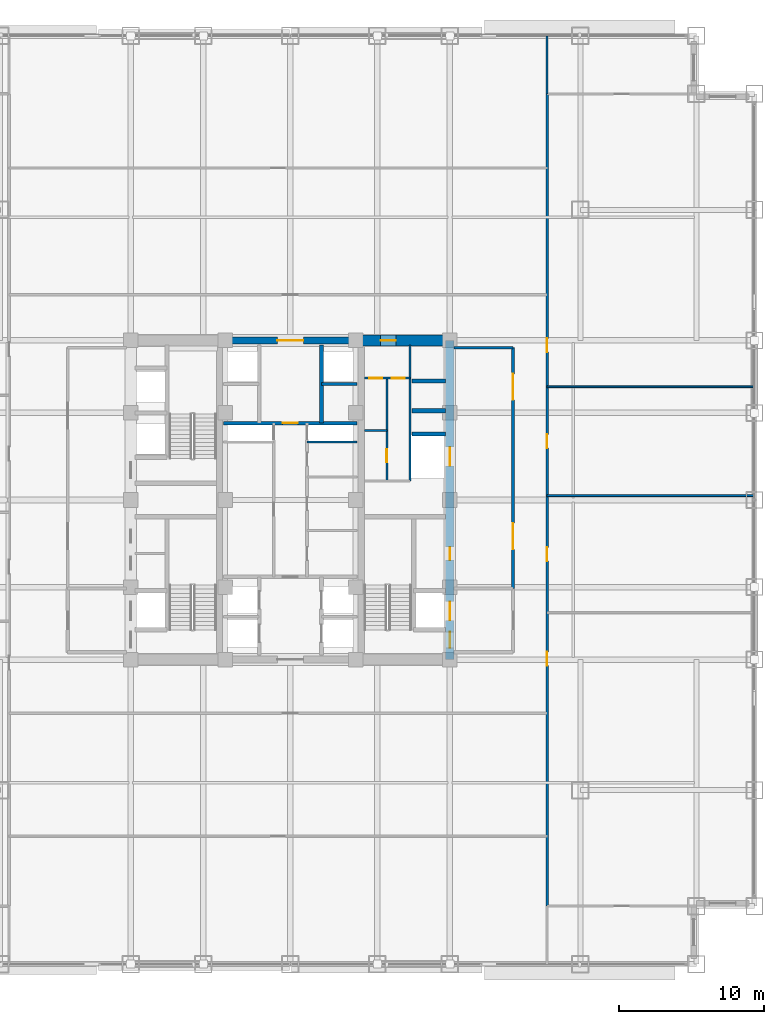
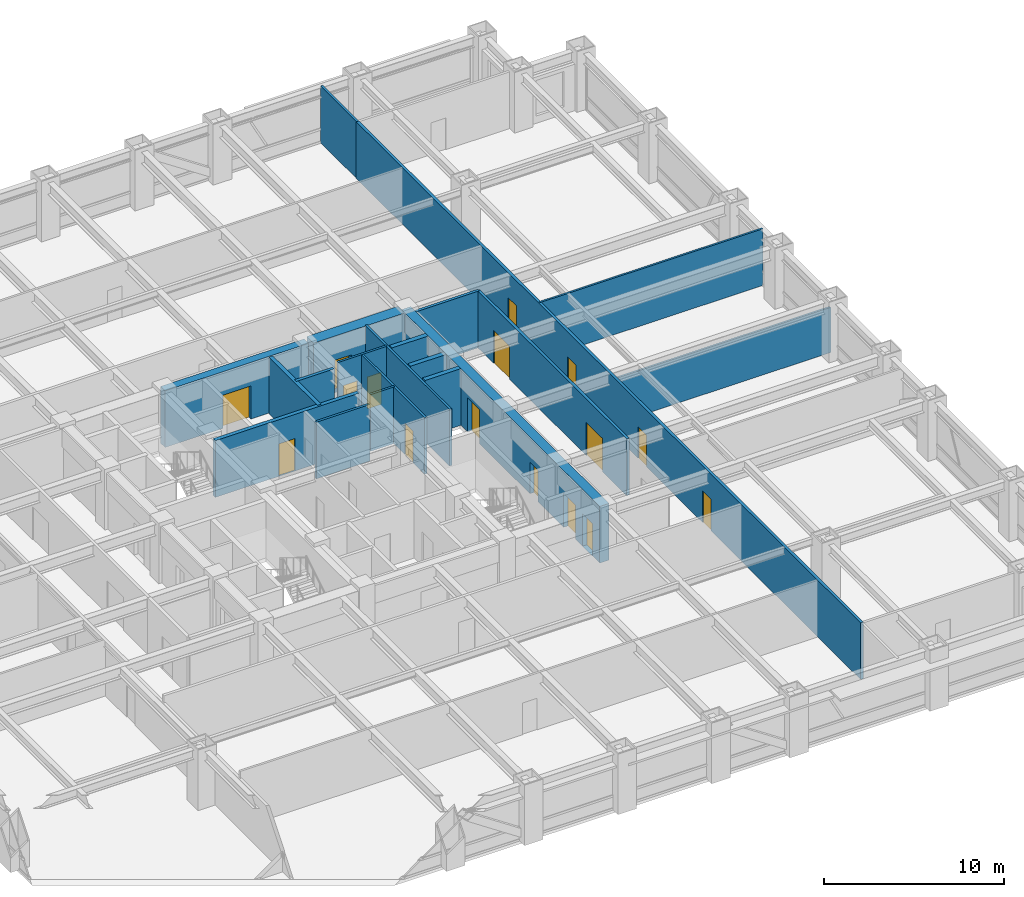
# One storey, part 26 of 32: 20 walls, 16 doors, 16 openings.
"""IFC4 building model written with IfcOpenShell, lengths in metres."""

from ifc_helpers import new_model, si_unit, direction, frame, frame_2d, origin, place, context, subcontext, project, spatial, rectangle, extrude, source, transform, mapped, material, layer, layer_set, type_object, element, fill, save


model = new_model("IFC4")

# Units and contexts
model_context = context("Model", 3, precision=1e-05, world=origin(), true_north=direction((0.0, 1.0)))
body_context = subcontext(model_context, "Body", "Model", "MODEL_VIEW")
ifc_project = project(units=[si_unit("LENGTHUNIT", "METRE"), si_unit("AREAUNIT", "SQUARE_METRE"), si_unit("VOLUMEUNIT", "CUBIC_METRE"), si_unit("PLANEANGLEUNIT", "RADIAN"), si_unit("MASSUNIT", "GRAM", prefix="KILO")], contexts=[model_context])

# Site, building, storey
site_placement = place(None, origin())
site = spatial("IfcSite", under=ifc_project, at=site_placement, CompositionType="ELEMENT")
building_placement = place(site_placement, origin())
building = spatial("IfcBuilding", under=site, at=building_placement, Name="Khorayat Bourse Tower", CompositionType="ELEMENT")
storey_placement = place(building_placement, frame((0.0, 0.0, 91.39990234375)))
storey = spatial("IfcBuildingStorey", under=building, at=storey_placement, Name="L20", CompositionType="ELEMENT", Elevation=91.39990234375)

# Wall, openings, doors
ifc_material_1 = material(Name="Concrete C60/75", Category="concrete")
ifc_layer_1 = layer(ifc_material_1, 0.60009765625)
ifc_layer_set_1 = layer_set([ifc_layer_1], Name="Concrete C60/75")
wall_type_1 = type_object("IfcWallType", Name="WAL-CORE-600", PredefinedType="SHEAR", material=ifc_layer_set_1)
shared_shape_1 = source(origin(), body_context, "Body", "SweptSolid", [
    extrude(rectangle(XDim=22.0, YDim=0.60009765625, at=frame_2d((11.0, 0.0))), origin(), (0.0, 0.0, 1.0), 3.840087890625),
])
wall_1_placement = place(storey_placement, frame((11.0, -11.0, 0.0), z_axis=(0.0, 0.0, 1.0), x_axis=(0.0, 1.0, 0.0)))
wall_1 = element("IfcWall", 1, at=wall_1_placement, inside=storey, type_object=wall_type_1, Name="L20 Core Shear Wall CORE-E", PredefinedType="SHEAR", context=body_context, shape_type="MappedRepresentation", body=[
    mapped(shared_shape_1, transform((0.0, 0.0, 0.0), scale=1.0)),
])
shared_shape_2 = source(origin(), body_context, "Body", "SweptSolid", [
    extrude(rectangle(XDim=1.10009765625, YDim=2.199951171875, at=frame_2d((0.550048828125, 1.10009765625))), frame((0.0, 0.31005859375, 0.0), z_axis=(0.0, -1.0, 0.0), x_axis=(1.0, 0.0, 0.0)), (0.0, 0.0, 1.0), 0.6201171875),
])
opening_1_placement = place(wall_1_placement, frame((0.800048828125, 0.0, 0.0)))
opening_1 = element("IfcOpeningElement", 2, at=opening_1_placement, cuts=wall_1, Name="Opening DI-01", PredefinedType="OPENING", context=body_context, shape_type="MappedRepresentation", body=[
    mapped(shared_shape_2, transform((0.0, 0.0, 0.0), scale=1.0)),
])
shared_shape_3 = source(origin(), body_context, "Body", "SweptSolid", [
    extrude(rectangle(XDim=0.89990234375, YDim=2.14990234375, at=frame_2d((0.449951171875, 1.074951171875))), frame((0.0, 0.31005859375, 0.0), z_axis=(0.0, -1.0, 0.0), x_axis=(1.0, 0.0, 0.0)), (0.0, 0.0, 1.0), 0.6201171875),
])
opening_2_placement = place(wall_1_placement, frame((6.85009765625, 0.0, 0.0)))
opening_2 = element("IfcOpeningElement", 3, at=opening_2_placement, cuts=wall_1, Name="Opening DI-06", PredefinedType="OPENING", context=body_context, shape_type="MappedRepresentation", body=[
    mapped(shared_shape_3, transform((0.0, 0.0, 0.0), scale=1.0)),
])
shared_shape_4 = source(origin(), body_context, "Body", "SweptSolid", [
    extrude(rectangle(XDim=1.300048828125, YDim=2.300048828125, at=frame_2d((0.64990234375, 1.14990234375))), frame((0.0, 0.31005859375, 0.0), z_axis=(0.0, -1.0, 0.0), x_axis=(1.0, 0.0, 0.0)), (0.0, 0.0, 1.0), 0.6201171875),
])
opening_3_placement = place(wall_1_placement, frame((2.699951171875, 0.0, 0.0)))
opening_3 = element("IfcOpeningElement", 4, at=opening_3_placement, cuts=wall_1, Name="Opening LD-02", PredefinedType="OPENING", context=body_context, shape_type="MappedRepresentation", body=[
    mapped(shared_shape_4, transform((0.0, 0.0, 0.0), scale=1.0)),
])
opening_4_placement = place(wall_1_placement, frame((13.35009765625, 0.0, 0.0)))
opening_4 = element("IfcOpeningElement", 5, at=opening_4_placement, cuts=wall_1, Name="Opening LD-02", PredefinedType="OPENING", context=body_context, shape_type="MappedRepresentation", body=[
    mapped(shared_shape_4, transform((0.0, 0.0, 0.0), scale=1.0)),
])
ifc_material_2 = material(Name="Fire-rated steel acoustic leaf", Category="steel")
door_type_1 = type_object("IfcDoorType", Name="DR-INT-STAIR-1100", OperationType="NOTDEFINED", PredefinedType="DOOR", material=ifc_material_2)
shared_shape_5 = source(origin(), body_context, "Body", "SweptSolid", [
    extrude(rectangle(XDim=1.10009765625, YDim=2.199951171875, at=frame_2d((0.550048828125, 1.10009765625))), frame((0.0, 0.02490234375, 0.0), z_axis=(0.0, -1.0, 0.0), x_axis=(1.0, 0.0, 0.0)), (0.0, 0.0, 1.0), 0.050048828125),
])
door_1_placement = place(opening_1_placement, origin())
door_1 = element("IfcDoor", 6, at=door_1_placement, inside=storey, type_object=door_type_1, Name="L20 Exit Stair 3 Door", OperationType="SINGLE_SWING_LEFT", OverallHeight=2.199951171875, OverallWidth=1.10009765625, PredefinedType="DOOR", context=body_context, shape_type="MappedRepresentation", body=[
    mapped(shared_shape_5, transform((0.0, 0.0, 0.0), scale=1.0)),
])
fill(opening_1, door_1)
ifc_material_3 = material(Name="Moisture-resistant laminate washroom door")
door_type_2 = type_object("IfcDoorType", Name="DR-INT-WC-900", OperationType="NOTDEFINED", PredefinedType="DOOR", material=ifc_material_3)
shared_shape_6 = source(origin(), body_context, "Body", "SweptSolid", [
    extrude(rectangle(XDim=0.89990234375, YDim=2.14990234375, at=frame_2d((0.449951171875, 1.074951171875))), frame((0.0, 0.02490234375, 0.0), z_axis=(0.0, -1.0, 0.0), x_axis=(1.0, 0.0, 0.0)), (0.0, 0.0, 1.0), 0.050048828125),
])
door_2_placement = place(opening_2_placement, origin())
door_2 = element("IfcDoor", 7, at=door_2_placement, inside=storey, type_object=door_type_2, Name="L20 Telecom Server Plant Room Door", OperationType="SINGLE_SWING_LEFT", OverallHeight=2.14990234375, OverallWidth=0.89990234375, PredefinedType="DOOR", context=body_context, shape_type="MappedRepresentation", body=[
    mapped(shared_shape_6, transform((0.0, 0.0, 0.0), scale=1.0)),
])
fill(opening_2, door_2)
ifc_material_4 = material(Name="Fire-rated stainless-steel sliding landing door", Category="steel")
door_type_3 = type_object("IfcDoorType", Name="DR-LIFT-FF-1300", OperationType="NOTDEFINED", PredefinedType="DOOR", material=ifc_material_4)
shared_shape_7 = source(origin(), body_context, "Body", "SweptSolid", [
    extrude(rectangle(XDim=1.300048828125, YDim=2.300048828125, at=frame_2d((0.64990234375, 1.14990234375))), frame((0.0, 0.02490234375, 0.0), z_axis=(0.0, -1.0, 0.0), x_axis=(1.0, 0.0, 0.0)), (0.0, 0.0, 1.0), 0.050048828125),
])
door_3_placement = place(opening_3_placement, origin())
door_3 = element("IfcDoor", 8, at=door_3_placement, inside=storey, type_object=door_type_3, Name="L20 Lift FFL-02 Sliding Landing Door", OperationType="SLIDING_TO_LEFT", OverallHeight=2.300048828125, OverallWidth=1.300048828125, PredefinedType="DOOR", context=body_context, shape_type="MappedRepresentation", body=[
    mapped(shared_shape_7, transform((0.0, 0.0, 0.0), scale=1.0)),
])
fill(opening_3, door_3)
door_4_placement = place(opening_4_placement, origin())
door_4 = element("IfcDoor", 9, at=door_4_placement, inside=storey, type_object=door_type_3, Name="L20 Lift SVL-01 Sliding Landing Door", OperationType="SLIDING_TO_LEFT", OverallHeight=2.300048828125, OverallWidth=1.300048828125, PredefinedType="DOOR", context=body_context, shape_type="MappedRepresentation", body=[
    mapped(shared_shape_7, transform((0.0, 0.0, 0.0), scale=1.0)),
])
fill(opening_4, door_4)

# Wall, opening, door
ifc_material_5 = material(Name="Concrete C72/90", Category="concrete")
ifc_layer_2 = layer(ifc_material_5, 0.75)
ifc_layer_set_2 = layer_set([ifc_layer_2], Name="Concrete C72/90")
wall_type_2 = type_object("IfcWallType", Name="WAL-CORE-750", PredefinedType="SHEAR", material=ifc_layer_set_2)
shared_shape_8 = source(origin(), body_context, "Body", "SweptSolid", [
    extrude(rectangle(XDim=5.849853515625, YDim=0.75, at=frame_2d((2.9248046875, 0.0))), origin(), (0.0, 0.0, 1.0), 3.840087890625),
])
wall_2_placement = place(storey_placement, frame((4.85009765625, 11.0, 0.0), z_axis=(0.0, 0.0, 1.0), x_axis=(1.0, 0.0, 0.0)))
wall_2 = element("IfcWall", 10, at=wall_2_placement, inside=storey, type_object=wall_type_2, Name="L20 Core Shear Wall PIER-EN", PredefinedType="SHEAR", context=body_context, shape_type="MappedRepresentation", body=[
    mapped(shared_shape_8, transform((0.0, 0.0, 0.0), scale=1.0)),
])
shared_shape_9 = source(origin(), body_context, "Body", "SweptSolid", [
    extrude(rectangle(XDim=1.050048828125, YDim=2.199951171875, at=frame_2d((0.52490234375, 1.10009765625))), frame((0.0, 0.385009765625, 0.0), z_axis=(0.0, -1.0, 0.0), x_axis=(1.0, 0.0, 0.0)), (0.0, 0.0, 1.0), 0.77001953125),
])
opening_5_placement = place(wall_2_placement, frame((1.375, 0.0, 0.0)))
opening_5 = element("IfcOpeningElement", 11, at=opening_5_placement, cuts=wall_2, Name="Opening DI-04", PredefinedType="OPENING", context=body_context, shape_type="MappedRepresentation", body=[
    mapped(shared_shape_9, transform((0.0, 0.0, 0.0), scale=1.0)),
])
ifc_material_6 = material(Name="Fire-rated oak veneer suite entrance door")
door_type_4 = type_object("IfcDoorType", Name="DR-INT-SUITE-1050", OperationType="NOTDEFINED", PredefinedType="DOOR", material=ifc_material_6)
shared_shape_10 = source(origin(), body_context, "Body", "SweptSolid", [
    extrude(rectangle(XDim=1.050048828125, YDim=2.199951171875, at=frame_2d((0.52490234375, 1.10009765625))), frame((0.0, 0.02490234375, 0.0), z_axis=(0.0, -1.0, 0.0), x_axis=(1.0, 0.0, 0.0)), (0.0, 0.0, 1.0), 0.050048828125),
])
door_5_placement = place(opening_5_placement, origin())
door_5 = element("IfcDoor", 12, at=door_5_placement, inside=storey, type_object=door_type_4, Name="L20 Core Washroom Lobby Door", OperationType="SINGLE_SWING_LEFT", OverallHeight=2.199951171875, OverallWidth=1.050048828125, PredefinedType="DOOR", context=body_context, shape_type="MappedRepresentation", body=[
    mapped(shared_shape_10, transform((0.0, 0.0, 0.0), scale=1.0)),
])
fill(opening_5, door_5)

ifc_material_7 = material(Name="Concrete C52/65", Category="concrete")
ifc_layer_3 = layer(ifc_material_7, 0.5)
ifc_layer_set_3 = layer_set([ifc_layer_3], Name="Concrete C52/65")
wall_type_3 = type_object("IfcWallType", Name="WAL-CORE-500", PredefinedType="SHEAR", material=ifc_layer_set_3)
shared_shape_11 = source(origin(), body_context, "Body", "SweptSolid", [
    extrude(rectangle(XDim=9.2001953125, YDim=0.5, at=frame_2d((4.60009765625, 0.0))), origin(), (0.0, 0.0, 1.0), 3.840087890625),
])
wall_3_placement = place(storey_placement, frame((-4.60009765625, 11.0, 0.0), z_axis=(0.0, 0.0, 1.0), x_axis=(1.0, 0.0, 0.0)))
wall_3 = element("IfcWall", 13, at=wall_3_placement, inside=storey, type_object=wall_type_3, Name="L20 Core Shear Wall CORE-N", PredefinedType="SHEAR", context=body_context, shape_type="MappedRepresentation", body=[
    mapped(shared_shape_11, transform((0.0, 0.0, 0.0), scale=1.0)),
])
shared_shape_12 = source(origin(), body_context, "Body", "SweptSolid", [
    extrude(rectangle(XDim=1.800048828125, YDim=2.25, at=frame_2d((0.89990234375, 1.125))), frame((0.0, 0.260009765625, 0.0), z_axis=(0.0, -1.0, 0.0), x_axis=(1.0, 0.0, 0.0)), (0.0, 0.0, 1.0), 0.52001953125),
])
opening_6_placement = place(wall_3_placement, frame((3.699951171875, 0.0, 0.0)))
opening_6 = element("IfcOpeningElement", 14, at=opening_6_placement, cuts=wall_3, Name="Opening DI-03", PredefinedType="OPENING", context=body_context, shape_type="MappedRepresentation", body=[
    mapped(shared_shape_12, transform((0.0, 0.0, 0.0), scale=1.0)),
])
ifc_material_8 = material(Name="Fire-rated hardwood vision-panel double leaf", Category="wood")
door_type_5 = type_object("IfcDoorType", Name="DR-INT-CORR-1800", OperationType="NOTDEFINED", PredefinedType="DOOR", material=ifc_material_8)
shared_shape_13 = source(origin(), body_context, "Body", "SweptSolid", [
    extrude(rectangle(XDim=1.800048828125, YDim=2.25, at=frame_2d((0.89990234375, 1.125))), frame((0.0, 0.02490234375, 0.0), z_axis=(0.0, -1.0, 0.0), x_axis=(1.0, 0.0, 0.0)), (0.0, 0.0, 1.0), 0.050048828125),
])
door_6_placement = place(opening_6_placement, origin())
door_6 = element("IfcDoor", 15, at=door_6_placement, inside=storey, type_object=door_type_5, Name="L20 Mid-Rise Lift Lobby Door", OperationType="SINGLE_SWING_RIGHT", OverallHeight=2.25, OverallWidth=1.800048828125, PredefinedType="DOOR", context=body_context, shape_type="MappedRepresentation", body=[
    mapped(shared_shape_13, transform((0.0, 0.0, 0.0), scale=1.0)),
])
fill(opening_6, door_6)

# Walls
ifc_material_9 = material(Name="Concrete C50/60", Category="concrete")
ifc_layer_4 = layer(ifc_material_9, 0.300048828125)
ifc_layer_set_4 = layer_set([ifc_layer_4], Name="Concrete C50/60")
wall_type_4 = type_object("IfcWallType", Name="WAL-SHAFT-300", PredefinedType="SHEAR", material=ifc_layer_set_4)
shared_shape_14 = source(origin(), body_context, "Body", "SweptSolid", [
    extrude(rectangle(XDim=2.300048828125, YDim=0.300048828125, at=frame_2d((1.14990234375, 0.0))), origin(), (0.0, 0.0, 1.0), 3.840087890625),
])
for number, where, z_axis, x_axis, name in (
    (16, (8.39990234375, 4.550048828125, 0.0), (0.0, 0.0, 1.0), (1.0, 0.0, 0.0), "L20 Partition WAL-L20-EPIER-SVLN"),
    (17, (8.39990234375, 6.14990234375, 0.0), (0.0, 0.0, 1.0), (1.0, 0.0, 0.0), "L20 Partition WAL-L20-EPIER-H3S"),
    (18, (8.39990234375, 8.199951171875, 0.0), (0.0, 0.0, 1.0), (1.0, 0.0, 0.0), "L20 Partition WAL-L20-EPIER-H34"),
):
    element("IfcWall", number, at=place(storey_placement, frame(where, z_axis=z_axis, x_axis=x_axis)), inside=storey, type_object=wall_type_4, Name=name, PredefinedType="SHEAR", context=body_context, shape_type="MappedRepresentation", body=[
        mapped(shared_shape_14, transform((0.0, 0.0, 0.0), scale=1.0)),
    ])
ifc_material_10 = material(Name="Moisture-resistant masonry partition", Category="masonry")
ifc_layer_5 = layer(ifc_material_10, 0.139892578125)
ifc_layer_set_5 = layer_set([ifc_layer_5], Name="Moisture-resistant masonry partition")
wall_type_5 = type_object("IfcWallType", Name="WAL-PART-WET-140", PredefinedType="PARTITIONING", material=ifc_layer_set_5)
shared_shape_15 = source(origin(), body_context, "Body", "SweptSolid", [
    extrude(rectangle(XDim=9.39990234375, YDim=0.139892578125, at=frame_2d((4.699951171875, 0.0))), origin(), (0.0, 0.0, 1.0), 3.840087890625),
])
wall_4_placement = place(storey_placement, frame((8.25, 1.300048828125, 0.0), z_axis=(0.0, 0.0, 1.0), x_axis=(0.0, 1.0, 0.0)))
element("IfcWall", 19, at=wall_4_placement, inside=storey, type_object=wall_type_5, Name="L20 Partition WAL-L20-ECORE-E", PredefinedType="PARTITIONING", context=body_context, shape_type="MappedRepresentation", body=[
    mapped(shared_shape_15, transform((0.0, 0.0, 0.0), scale=1.0)),
])

# Wall, openings, doors
shared_shape_16 = source(origin(), body_context, "Body", "SweptSolid", [
    extrude(rectangle(XDim=3.14990234375, YDim=0.139892578125, at=frame_2d((1.574951171875, 0.0))), origin(), (0.0, 0.0, 1.0), 3.840087890625),
])
wall_5_placement = place(storey_placement, frame((5.10009765625, 8.39990234375, 0.0), z_axis=(0.0, 0.0, 1.0), x_axis=(1.0, 0.0, 0.0)))
wall_5 = element("IfcWall", 20, at=wall_5_placement, inside=storey, type_object=wall_type_5, Name="L20 Partition WAL-L20-ECW-TOP", PredefinedType="PARTITIONING", context=body_context, shape_type="MappedRepresentation", body=[
    mapped(shared_shape_16, transform((0.0, 0.0, 0.0), scale=1.0)),
])
shared_shape_17 = source(origin(), body_context, "Body", "SweptSolid", [
    extrude(rectangle(XDim=0.89990234375, YDim=2.14990234375, at=frame_2d((0.449951171875, 1.074951171875))), frame((0.0, 0.079833984375, 0.0), z_axis=(0.0, -1.0, 0.0), x_axis=(1.0, 0.0, 0.0)), (0.0, 0.0, 1.0), 0.159912109375),
])
opening_7_placement = place(wall_5_placement, frame((0.330078125, 0.0, 0.0)))
opening_7 = element("IfcOpeningElement", 21, at=opening_7_placement, cuts=wall_5, Name="Opening DI-06", PredefinedType="OPENING", context=body_context, shape_type="MappedRepresentation", body=[
    mapped(shared_shape_17, transform((0.0, 0.0, 0.0), scale=1.0)),
])
opening_8_placement = place(wall_5_placement, frame((1.89990234375, 0.0, 0.0)))
opening_8 = element("IfcOpeningElement", 22, at=opening_8_placement, cuts=wall_5, Name="Opening DI-06", PredefinedType="OPENING", context=body_context, shape_type="MappedRepresentation", body=[
    mapped(shared_shape_17, transform((0.0, 0.0, 0.0), scale=1.0)),
])
door_7_placement = place(opening_7_placement, origin())
door_7 = element("IfcDoor", 23, at=door_7_placement, inside=storey, type_object=door_type_2, Name="L20 Accessible WC Door", OperationType="SINGLE_SWING_LEFT", OverallHeight=2.14990234375, OverallWidth=0.89990234375, PredefinedType="DOOR", context=body_context, shape_type="MappedRepresentation", body=[
    mapped(shared_shape_6, transform((0.0, 0.0, 0.0), scale=1.0)),
])
fill(opening_7, door_7)
door_8_placement = place(opening_8_placement, origin())
door_8 = element("IfcDoor", 24, at=door_8_placement, inside=storey, type_object=door_type_2, Name="L20 Shared Washroom Door", OperationType="SINGLE_SWING_RIGHT", OverallHeight=2.14990234375, OverallWidth=0.89990234375, PredefinedType="DOOR", context=body_context, shape_type="MappedRepresentation", body=[
    mapped(shared_shape_6, transform((0.0, 0.0, 0.0), scale=1.0)),
])
fill(opening_8, door_8)

# Wall, opening, door
shared_shape_18 = source(origin(), body_context, "Body", "SweptSolid", [
    extrude(rectangle(XDim=7.099853515625, YDim=0.139892578125, at=frame_2d((3.5498046875, 0.0))), origin(), (0.0, 0.0, 1.0), 3.840087890625),
])
wall_6_placement = place(storey_placement, frame((6.64990234375, 1.300048828125, 0.0), z_axis=(0.0, 0.0, 1.0), x_axis=(0.0, 1.0, 0.0)))
wall_6 = element("IfcWall", 25, at=wall_6_placement, inside=storey, type_object=wall_type_5, Name="L20 Partition WAL-L20-ECW-MID", PredefinedType="PARTITIONING", context=body_context, shape_type="MappedRepresentation", body=[
    mapped(shared_shape_18, transform((0.0, 0.0, 0.0), scale=1.0)),
])
opening_9_placement = place(wall_6_placement, frame((1.300048828125, 0.0, 0.0)))
opening_9 = element("IfcOpeningElement", 26, at=opening_9_placement, cuts=wall_6, Name="Opening DI-06", PredefinedType="OPENING", context=body_context, shape_type="MappedRepresentation", body=[
    mapped(shared_shape_17, transform((0.0, 0.0, 0.0), scale=1.0)),
])
door_9_placement = place(opening_9_placement, origin())
door_9 = element("IfcDoor", 27, at=door_9_placement, inside=storey, type_object=door_type_2, Name="L20 Janitor Store Door", OperationType="SINGLE_SWING_LEFT", OverallHeight=2.14990234375, OverallWidth=0.89990234375, PredefinedType="DOOR", context=body_context, shape_type="MappedRepresentation", body=[
    mapped(shared_shape_6, transform((0.0, 0.0, 0.0), scale=1.0)),
])
fill(opening_9, door_9)

# Walls
shared_shape_19 = source(origin(), body_context, "Body", "SweptSolid", [
    extrude(rectangle(XDim=1.5498046875, YDim=0.139892578125, at=frame_2d((0.77490234375, 0.0))), origin(), (0.0, 0.0, 1.0), 3.840087890625),
])
wall_7_placement = place(storey_placement, frame((5.10009765625, 4.800048828125, 0.0), z_axis=(0.0, 0.0, 1.0), x_axis=(1.0, 0.0, 0.0)))
element("IfcWall", 28, at=wall_7_placement, inside=storey, type_object=wall_type_5, Name="L20 Partition WAL-L20-ECW-BOT", PredefinedType="PARTITIONING", context=body_context, shape_type="MappedRepresentation", body=[
    mapped(shared_shape_19, transform((0.0, 0.0, 0.0), scale=1.0)),
])
ifc_material_11 = material(Name="Gypsum plasterboard acoustic stud wall")
ifc_layer_6 = layer(ifc_material_11, 0.179931640625)
ifc_layer_set_6 = layer_set([ifc_layer_6], Name="Gypsum plasterboard acoustic stud wall")
wall_type_6 = type_object("IfcWallType", Name="WAL-PART-CORR-180", PredefinedType="PARTITIONING", material=ifc_layer_set_6)
shared_shape_20 = source(origin(), body_context, "Body", "SweptSolid", [
    extrude(rectangle(XDim=4.050048828125, YDim=0.179931640625, at=frame_2d((2.02490234375, 0.0))), origin(), (0.0, 0.0, 1.0), 3.840087890625),
])
wall_8_placement = place(storey_placement, frame((11.300048828125, 10.5, 0.0), z_axis=(0.0, 0.0, 1.0), x_axis=(1.0, 0.0, 0.0)))
element("IfcWall", 29, at=wall_8_placement, inside=storey, type_object=wall_type_6, Name="L20 Partition WAL-L20-ELOB-N", PredefinedType="PARTITIONING", context=body_context, shape_type="MappedRepresentation", body=[
    mapped(shared_shape_20, transform((0.0, 0.0, 0.0), scale=1.0)),
])

# Wall, openings, doors
shared_shape_21 = source(origin(), body_context, "Body", "SweptSolid", [
    extrude(rectangle(XDim=16.60009765625, YDim=0.179931640625, at=frame_2d((8.300048828125, 0.0))), origin(), (0.0, 0.0, 1.0), 3.840087890625),
])
wall_9_placement = place(storey_placement, frame((15.35009765625, -6.10009765625, 0.0), z_axis=(0.0, 0.0, 1.0), x_axis=(0.0, 1.0, 0.0)))
wall_9 = element("IfcWall", 30, at=wall_9_placement, inside=storey, type_object=wall_type_6, Name="L20 Partition WAL-L20-ELOB-E", PredefinedType="PARTITIONING", context=body_context, shape_type="MappedRepresentation", body=[
    mapped(shared_shape_21, transform((0.0, 0.0, 0.0), scale=1.0)),
])
shared_shape_22 = source(origin(), body_context, "Body", "SweptSolid", [
    extrude(rectangle(XDim=1.800048828125, YDim=2.25, at=frame_2d((0.89990234375, 1.125))), frame((0.0, 0.099853515625, 0.0), z_axis=(0.0, -1.0, 0.0), x_axis=(1.0, 0.0, 0.0)), (0.0, 0.0, 1.0), 0.199951171875),
])
opening_10_placement = place(wall_9_placement, frame((2.699951171875, 0.0, 0.0)))
opening_10 = element("IfcOpeningElement", 31, at=opening_10_placement, cuts=wall_9, Name="Opening DI-03", PredefinedType="OPENING", context=body_context, shape_type="MappedRepresentation", body=[
    mapped(shared_shape_22, transform((0.0, 0.0, 0.0), scale=1.0)),
])
opening_11_placement = place(wall_9_placement, frame((13.0, 0.0, 0.0)))
opening_11 = element("IfcOpeningElement", 32, at=opening_11_placement, cuts=wall_9, Name="Opening DI-03", PredefinedType="OPENING", context=body_context, shape_type="MappedRepresentation", body=[
    mapped(shared_shape_22, transform((0.0, 0.0, 0.0), scale=1.0)),
])
door_10_placement = place(opening_10_placement, origin())
door_10 = element("IfcDoor", 33, at=door_10_placement, inside=storey, type_object=door_type_5, Name="L20 East Core Lobby South Door", OperationType="SINGLE_SWING_RIGHT", OverallHeight=2.25, OverallWidth=1.800048828125, PredefinedType="DOOR", context=body_context, shape_type="MappedRepresentation", body=[
    mapped(shared_shape_13, transform((0.0, 0.0, 0.0), scale=1.0)),
])
fill(opening_10, door_10)
door_11_placement = place(opening_11_placement, origin())
door_11 = element("IfcDoor", 34, at=door_11_placement, inside=storey, type_object=door_type_5, Name="L20 East Core Lobby North Door", OperationType="SINGLE_SWING_LEFT", OverallHeight=2.25, OverallWidth=1.800048828125, PredefinedType="DOOR", context=body_context, shape_type="MappedRepresentation", body=[
    mapped(shared_shape_13, transform((0.0, 0.0, 0.0), scale=1.0)),
])
fill(opening_11, door_11)

# Walls
ifc_material_12 = material(Name="Gypsum plasterboard twin-frame partition")
ifc_layer_7 = layer(ifc_material_12, 0.14990234375)
ifc_layer_set_7 = layer_set([ifc_layer_7], Name="Gypsum plasterboard twin-frame partition")
wall_type_7 = type_object("IfcWallType", Name="WAL-PART-SUITE-150", PredefinedType="PARTITIONING", material=ifc_layer_set_7)
shared_shape_23 = source(origin(), body_context, "Body", "SweptSolid", [
    extrude(rectangle(XDim=3.4501953125, YDim=0.14990234375, at=frame_2d((1.72509765625, 0.0))), origin(), (0.0, 0.0, 1.0), 3.840087890625),
])
wall_10_placement = place(storey_placement, frame((1.14990234375, 4.0, 0.0), z_axis=(0.0, 0.0, 1.0), x_axis=(1.0, 0.0, 0.0)))
element("IfcWall", 35, at=wall_10_placement, inside=storey, type_object=wall_type_7, Name="L20 Partition WAL-L20-CRSE-S", PredefinedType="PARTITIONING", context=body_context, shape_type="MappedRepresentation", body=[
    mapped(shared_shape_23, transform((0.0, 0.0, 0.0), scale=1.0)),
])
shared_shape_24 = source(origin(), body_context, "Body", "SweptSolid", [
    extrude(rectangle(XDim=5.39990234375, YDim=0.25, at=frame_2d((2.699951171875, 0.0))), origin(), (0.0, 0.0, 1.0), 3.840087890625),
])
wall_11_placement = place(storey_placement, frame((2.14990234375, 5.300048828125, 0.0), z_axis=(0.0, 0.0, 1.0), x_axis=(0.0, 1.0, 0.0)))
element("IfcWall", 36, at=wall_11_placement, inside=storey, type_object=wall_type_4, Name="L20 Partition WAL-L20-B2-E", PredefinedType="SHEAR", context=body_context, shape_type="MappedRepresentation", body=[
    mapped(shared_shape_24, transform((0.0, 0.0, 0.0), scale=1.0)),
])
shared_shape_25 = source(origin(), body_context, "Body", "SweptSolid", [
    extrude(rectangle(XDim=2.4501953125, YDim=0.199951171875, at=frame_2d((1.22509765625, 0.0))), origin(), (0.0, 0.0, 1.0), 3.840087890625),
])
wall_12_placement = place(storey_placement, frame((2.14990234375, 8.0, 0.0), z_axis=(0.0, 0.0, 1.0), x_axis=(1.0, 0.0, 0.0)))
element("IfcWall", 37, at=wall_12_placement, inside=storey, type_object=wall_type_4, Name="L20 Partition WAL-L20-B2-ME", PredefinedType="SHEAR", context=body_context, shape_type="MappedRepresentation", body=[
    mapped(shared_shape_25, transform((0.0, 0.0, 0.0), scale=1.0)),
])

# Wall, opening, door
shared_shape_26 = source(origin(), body_context, "Body", "SweptSolid", [
    extrude(rectangle(XDim=9.2001953125, YDim=0.25, at=frame_2d((4.60009765625, 0.0))), origin(), (0.0, 0.0, 1.0), 3.840087890625),
])
wall_13_placement = place(storey_placement, frame((-4.60009765625, 5.300048828125, 0.0), z_axis=(0.0, 0.0, 1.0), x_axis=(1.0, 0.0, 0.0)))
wall_13 = element("IfcWall", 38, at=wall_13_placement, inside=storey, type_object=wall_type_4, Name="L20 Partition WAL-L20-B2-S", PredefinedType="SHEAR", context=body_context, shape_type="MappedRepresentation", body=[
    mapped(shared_shape_26, transform((0.0, 0.0, 0.0), scale=1.0)),
])
shared_shape_27 = source(origin(), body_context, "Body", "SweptSolid", [
    extrude(rectangle(XDim=1.050048828125, YDim=2.199951171875, at=frame_2d((0.52490234375, 1.10009765625))), frame((0.0, 0.135009765625, 0.0), z_axis=(0.0, -1.0, 0.0), x_axis=(1.0, 0.0, 0.0)), (0.0, 0.0, 1.0), 0.27001953125),
])
opening_12_placement = place(wall_13_placement, frame((4.074951171875, 0.0, 0.0)))
opening_12 = element("IfcOpeningElement", 39, at=opening_12_placement, cuts=wall_13, Name="Opening DI-04", PredefinedType="OPENING", context=body_context, shape_type="MappedRepresentation", body=[
    mapped(shared_shape_27, transform((0.0, 0.0, 0.0), scale=1.0)),
])
door_12_placement = place(opening_12_placement, origin())
door_12 = element("IfcDoor", 40, at=door_12_placement, inside=storey, type_object=door_type_4, Name="L20 Core Spine North Door", OperationType="SINGLE_SWING_RIGHT", OverallHeight=2.199951171875, OverallWidth=1.050048828125, PredefinedType="DOOR", context=body_context, shape_type="MappedRepresentation", body=[
    mapped(shared_shape_10, transform((0.0, 0.0, 0.0), scale=1.0)),
])
fill(opening_12, door_12)

# Walls
shared_shape_28 = source(origin(), body_context, "Body", "SweptSolid", [
    extrude(rectangle(XDim=4.0, YDim=0.14990234375, at=frame_2d((2.0, 0.0))), origin(), (0.0, 0.0, 1.0), 3.840087890625),
])
wall_14_placement = place(storey_placement, frame((17.699951171875, 28.0, 0.0), z_axis=(0.0, 0.0, 1.0), x_axis=(0.0, 1.0, 0.0)))
element("IfcWall", 41, at=wall_14_placement, inside=storey, type_object=wall_type_7, Name="L20 Partition WAL-L20-NCE-END", PredefinedType="PARTITIONING", context=body_context, shape_type="MappedRepresentation", body=[
    mapped(shared_shape_28, transform((0.0, 0.0, 0.0), scale=1.0)),
])
ifc_material_13 = material(Name="Gypsum plasterboard partition")
ifc_layer_8 = layer(ifc_material_13, 0.125)
ifc_layer_set_8 = layer_set([ifc_layer_8], Name="Gypsum plasterboard partition")
wall_type_8 = type_object("IfcWallType", Name="WAL-PART-ROOM-125", PredefinedType="PARTITIONING", material=ifc_layer_set_8)
shared_shape_29 = source(origin(), body_context, "Body", "SweptSolid", [
    extrude(rectangle(XDim=14.300048828125, YDim=0.125, at=frame_2d((7.14990234375, 0.0))), origin(), (0.0, 0.0, 1.0), 3.840087890625),
])
wall_15_placement = place(storey_placement, frame((17.699951171875, 7.802978515625, 0.0), z_axis=(0.0, 0.0, 1.0), x_axis=(1.0, 0.0, 0.0)))
element("IfcWall", 42, at=wall_15_placement, inside=storey, type_object=wall_type_8, Name="L20 Partition WAL-L20-EDV-3", PredefinedType="PARTITIONING", context=body_context, shape_type="MappedRepresentation", body=[
    mapped(shared_shape_29, transform((0.0, 0.0, 0.0), scale=1.0)),
])
shared_shape_30 = source(origin(), body_context, "Body", "SweptSolid", [
    extrude(rectangle(XDim=14.300048828125, YDim=0.125, at=frame_2d((7.14990234375, 0.0))), origin(), (0.0, 0.0, 1.0), 3.067138671875),
])
wall_16_placement = place(storey_placement, frame((17.699951171875, 0.302001953125, 0.0), z_axis=(0.0, 0.0, 1.0), x_axis=(1.0, 0.0, 0.0)))
element("IfcWall", 43, at=wall_16_placement, inside=storey, type_object=wall_type_8, Name="L20 Partition WAL-L20-EDV-2", PredefinedType="PARTITIONING", context=body_context, shape_type="MappedRepresentation", body=[
    mapped(shared_shape_30, transform((0.0, 0.0, 0.0), scale=1.0)),
])

# Wall, openings, doors
shared_shape_31 = source(origin(), body_context, "Body", "SweptSolid", [
    extrude(rectangle(XDim=56.0, YDim=0.179931640625, at=frame_2d((28.0, 0.0))), origin(), (0.0, 0.0, 1.0), 3.840087890625),
])
wall_17_placement = place(storey_placement, frame((17.699951171875, -28.0, 0.0), z_axis=(0.0, 0.0, 1.0), x_axis=(0.0, 1.0, 0.0)))
wall_17 = element("IfcWall", 44, at=wall_17_placement, inside=storey, type_object=wall_type_6, Name="L20 Partition WAL-L20-ECORR", PredefinedType="PARTITIONING", context=body_context, shape_type="MappedRepresentation", body=[
    mapped(shared_shape_31, transform((0.0, 0.0, 0.0), scale=1.0)),
])
shared_shape_32 = source(origin(), body_context, "Body", "SweptSolid", [
    extrude(rectangle(XDim=0.949951171875, YDim=2.14990234375, at=frame_2d((0.47509765625, 1.074951171875))), frame((0.0, 0.099853515625, 0.0), z_axis=(0.0, -1.0, 0.0), x_axis=(1.0, 0.0, 0.0)), (0.0, 0.0, 1.0), 0.199951171875),
])
opening_13_placement = place(wall_17_placement, frame((16.5869140625, 0.0, 0.0)))
opening_13 = element("IfcOpeningElement", 45, at=opening_13_placement, cuts=wall_17, Name="Opening DI-05", PredefinedType="OPENING", context=body_context, shape_type="MappedRepresentation", body=[
    mapped(shared_shape_32, transform((0.0, 0.0, 0.0), scale=1.0)),
])
opening_14_placement = place(wall_17_placement, frame((23.7880859375, 0.0, 0.0)))
opening_14 = element("IfcOpeningElement", 46, at=opening_14_placement, cuts=wall_17, Name="Opening DI-05", PredefinedType="OPENING", context=body_context, shape_type="MappedRepresentation", body=[
    mapped(shared_shape_32, transform((0.0, 0.0, 0.0), scale=1.0)),
])
opening_15_placement = place(wall_17_placement, frame((31.577392578125, 0.0, 0.0)))
opening_15 = element("IfcOpeningElement", 47, at=opening_15_placement, cuts=wall_17, Name="Opening DI-05", PredefinedType="OPENING", context=body_context, shape_type="MappedRepresentation", body=[
    mapped(shared_shape_32, transform((0.0, 0.0, 0.0), scale=1.0)),
])
opening_16_placement = place(wall_17_placement, frame((38.201416015625, 0.0, 0.0)))
opening_16 = element("IfcOpeningElement", 48, at=opening_16_placement, cuts=wall_17, Name="Opening DI-05", PredefinedType="OPENING", context=body_context, shape_type="MappedRepresentation", body=[
    mapped(shared_shape_32, transform((0.0, 0.0, 0.0), scale=1.0)),
])
ifc_material_14 = material(Name="Acoustic oak veneer office door")
door_type_6 = type_object("IfcDoorType", Name="DR-INT-OFFICE-950", OperationType="NOTDEFINED", PredefinedType="DOOR", material=ifc_material_14)
shared_shape_33 = source(origin(), body_context, "Body", "SweptSolid", [
    extrude(rectangle(XDim=0.949951171875, YDim=2.14990234375, at=frame_2d((0.47509765625, 1.074951171875))), frame((0.0, 0.02490234375, 0.0), z_axis=(0.0, -1.0, 0.0), x_axis=(1.0, 0.0, 0.0)), (0.0, 0.0, 1.0), 0.050048828125),
])
door_13_placement = place(opening_13_placement, origin())
door_13 = element("IfcDoor", 49, at=door_13_placement, inside=storey, type_object=door_type_6, Name="L20 Executive Boardroom E1 Door", OperationType="SINGLE_SWING_RIGHT", OverallHeight=2.14990234375, OverallWidth=0.949951171875, PredefinedType="DOOR", context=body_context, shape_type="MappedRepresentation", body=[
    mapped(shared_shape_33, transform((0.0, 0.0, 0.0), scale=1.0)),
])
fill(opening_13, door_13)
door_14_placement = place(opening_14_placement, origin())
door_14 = element("IfcDoor", 50, at=door_14_placement, inside=storey, type_object=door_type_6, Name="L20 Quantitative Research Study E2 Door", OperationType="SINGLE_SWING_LEFT", OverallHeight=2.14990234375, OverallWidth=0.949951171875, PredefinedType="DOOR", context=body_context, shape_type="MappedRepresentation", body=[
    mapped(shared_shape_33, transform((0.0, 0.0, 0.0), scale=1.0)),
])
fill(opening_14, door_14)
door_15_placement = place(opening_15_placement, origin())
door_15 = element("IfcDoor", 51, at=door_15_placement, inside=storey, type_object=door_type_6, Name="L20 Occupational First Aid Clinic E3 Door", OperationType="SINGLE_SWING_RIGHT", OverallHeight=2.14990234375, OverallWidth=0.949951171875, PredefinedType="DOOR", context=body_context, shape_type="MappedRepresentation", body=[
    mapped(shared_shape_33, transform((0.0, 0.0, 0.0), scale=1.0)),
])
fill(opening_15, door_15)
door_16_placement = place(opening_16_placement, origin())
door_16 = element("IfcDoor", 52, at=door_16_placement, inside=storey, type_object=door_type_6, Name="L20 Clearing Records Archive Store E4 Door", OperationType="SINGLE_SWING_LEFT", OverallHeight=2.14990234375, OverallWidth=0.949951171875, PredefinedType="DOOR", context=body_context, shape_type="MappedRepresentation", body=[
    mapped(shared_shape_33, transform((0.0, 0.0, 0.0), scale=1.0)),
])
fill(opening_16, door_16)

save(model, "model.ifc")
